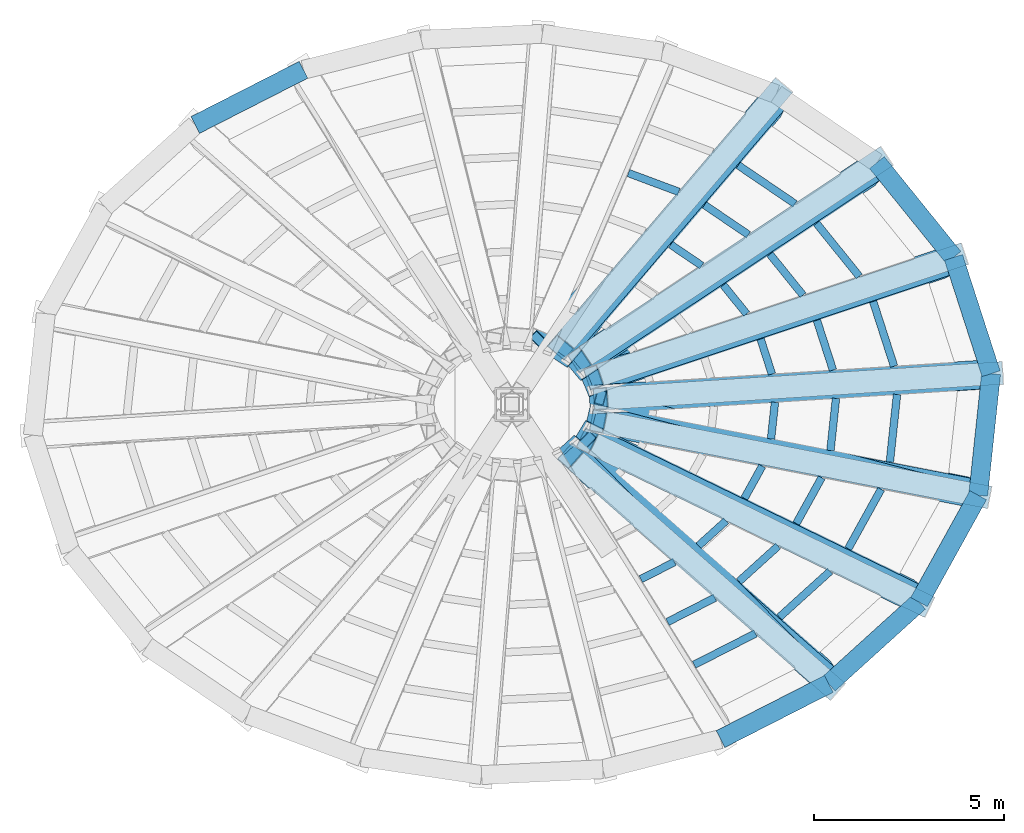
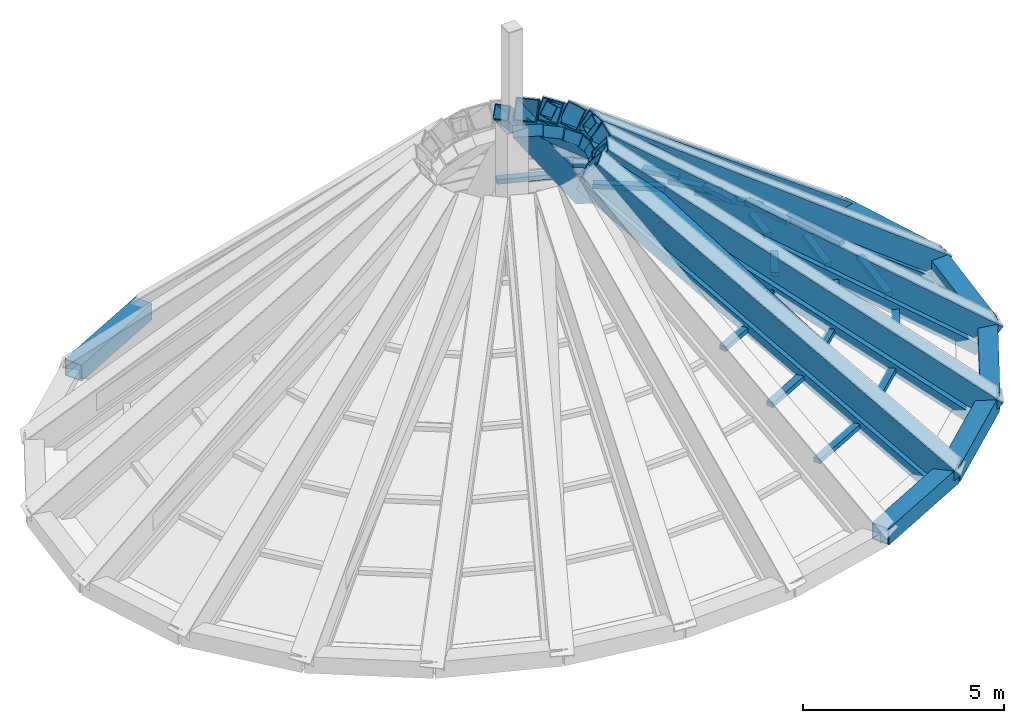
# One storey, part 3 of 9: 40 members, 7 beams, 1 element without a shape of its own.
"""IFC4 building model written with IfcOpenShell, lengths in metres."""

from ifc_helpers import new_model, si_unit, direction, frame, origin, origin_2d, place, context, subcontext, project, spatial, rectangle, hollow_rectangle, extrude, source, transform, mapped, material, material_profile, profile_set, type_object, element, aggregate, save


model = new_model("IFC4")

# Units and contexts
model_context = context("Model", 3, precision=1e-05, world=origin(), true_north=direction((0.0, 1.0)))
body_context = subcontext(model_context, "Body", "Model", "MODEL_VIEW")
ifc_project = project(units=[si_unit("LENGTHUNIT", "METRE"), si_unit("AREAUNIT", "SQUARE_METRE"), si_unit("VOLUMEUNIT", "CUBIC_METRE"), si_unit("PLANEANGLEUNIT", "RADIAN"), si_unit("MASSUNIT", "GRAM", prefix="KILO")], contexts=[model_context])

# Site, building, storey
site_placement = place(None, origin())
site = spatial("IfcSite", under=ifc_project, at=site_placement, CompositionType="ELEMENT")
building_placement = place(site_placement, origin())
building = spatial("IfcBuilding", under=site, at=building_placement, Name="Embergate Tower", CompositionType="ELEMENT")
storey_placement = place(building_placement, frame((0.0, 0.0, 374.5)))
storey = spatial("IfcBuildingStorey", under=building, at=storey_placement, Name="Roof", CompositionType="ELEMENT", Elevation=374.5)

# Beams
ifc_material_1 = material(Name="Steel Q355D", Category="steel")
ifc_material_profile_1 = material_profile(ifc_material_1, hollow_rectangle(XDim=0.5, YDim=0.5, WallThickness=0.02490234375, at=origin_2d()), Name="BOX 500x500x25")
ifc_profile_set_1 = profile_set([ifc_material_profile_1], Name="Steel Q355 grade D")
beam_type = type_object("IfcBeamType", Name="Crown frame ring beam BOX 500x500x25", PredefinedType="BEAM", material=ifc_profile_set_1)
shared_shape_1 = source(origin(), body_context, "Body", "SweptSolid", [
    extrude(hollow_rectangle(XDim=0.5, YDim=0.5, WallThickness=0.02490234375, at=origin_2d()), origin(), (0.0, 0.0, 1.0), 3.22216796875),
])
beam_1_placement = place(storey_placement, frame((12.635986328125, 0.81103515625, 0.0), z_axis=(-0.3075539776, 0.951530635798, 0.0), x_axis=(-0.951530635798, -0.3075539776, 0.0)))
element("IfcBeam", 1, at=beam_1_placement, inside=storey, type_object=beam_type, Name="CRN-Roof-RB00", PredefinedType="BEAM", context=body_context, shape_type="MappedRepresentation", body=[
    mapped(shared_shape_1, transform((0.0, 0.0, 0.0))),
])
shared_shape_2 = source(origin(), body_context, "Body", "SweptSolid", [
    extrude(hollow_rectangle(XDim=0.5, YDim=0.5, WallThickness=0.02490234375, at=origin_2d()), origin(), (0.0, 0.0, 1.0), 3.217041015625),
])
beam_2_placement = place(storey_placement, frame((11.64501953125, 3.876953125, 0.0), z_axis=(-0.628224045581, 0.778032485539, 0.0), x_axis=(-0.778032485539, -0.628224045581, 0.0)))
element("IfcBeam", 2, at=beam_2_placement, inside=storey, type_object=beam_type, Name="CRN-Roof-RB01", PredefinedType="BEAM", context=body_context, shape_type="MappedRepresentation", body=[
    mapped(shared_shape_2, transform((0.0, 0.0, 0.0))),
])
shared_shape_3 = source(origin(), body_context, "Body", "SweptSolid", [
    extrude(hollow_rectangle(XDim=0.5, YDim=0.5, WallThickness=0.02490234375, at=origin_2d()), origin(), (0.0, 0.0, 1.0), 3.2060546875),
])
for number, where, z_axis, x_axis, name in (
    (3, (-5.4990234375, 8.826904296875, 0.0), (-0.890804017707, -0.454387722146, 0.0), (0.454387722146, -0.890804017707, 0.0), "CRN-Roof-RB07"),
    (4, (5.4990234375, -8.826904296875, 0.0), (0.890804017707, 0.454387722146, 0.0), (-0.454387722146, 0.890804017707, 0.0), "CRN-Roof-RB18"),
):
    element("IfcBeam", number, at=place(storey_placement, frame(where, z_axis=z_axis, x_axis=x_axis)), inside=storey, type_object=beam_type, Name=name, PredefinedType="BEAM", context=body_context, shape_type="MappedRepresentation", body=[
        mapped(shared_shape_3, transform((0.0, 0.0, 0.0))),
    ])
shared_shape_4 = source(origin(), body_context, "Body", "SweptSolid", [
    extrude(hollow_rectangle(XDim=0.5, YDim=0.5, WallThickness=0.02490234375, at=origin_2d()), origin(), (0.0, 0.0, 1.0), 3.212890625),
])
beam_3_placement = place(storey_placement, frame((8.35498046875, -7.3701171875, 0.0), z_axis=(0.741087374494, 0.671408596434, 0.0), x_axis=(-0.671408596434, 0.741087374494, 0.0)))
element("IfcBeam", 5, at=beam_3_placement, inside=storey, type_object=beam_type, Name="CRN-Roof-RB19", PredefinedType="BEAM", context=body_context, shape_type="MappedRepresentation", body=[
    mapped(shared_shape_4, transform((0.0, 0.0, 0.0))),
])
shared_shape_5 = source(origin(), body_context, "Body", "SweptSolid", [
    extrude(hollow_rectangle(XDim=0.5, YDim=0.5, WallThickness=0.02490234375, at=origin_2d()), origin(), (0.0, 0.0, 1.0), 3.22021484375),
])
beam_4_placement = place(storey_placement, frame((10.736083984375, -5.212890625, 0.0), z_axis=(0.484065090401, 0.875031992704, 0.0), x_axis=(-0.875031992704, 0.484065090401, 0.0)))
element("IfcBeam", 6, at=beam_4_placement, inside=storey, type_object=beam_type, Name="CRN-Roof-RB20", PredefinedType="BEAM", context=body_context, shape_type="MappedRepresentation", body=[
    mapped(shared_shape_5, transform((0.0, 0.0, 0.0))),
])
shared_shape_6 = source(origin(), body_context, "Body", "SweptSolid", [
    extrude(hollow_rectangle(XDim=0.5, YDim=0.5, WallThickness=0.02490234375, at=origin_2d()), origin(), (0.0, 0.0, 1.0), 3.22412109375),
])
beam_5_placement = place(storey_placement, frame((12.294921875, -2.39501953125, 0.0), z_axis=(0.105784461504, 0.994389082655, 0.0), x_axis=(-0.994389082655, 0.105784461504, 0.0)))
element("IfcBeam", 7, at=beam_5_placement, inside=storey, type_object=beam_type, Name="CRN-Roof-RB21", PredefinedType="BEAM", context=body_context, shape_type="MappedRepresentation", body=[
    mapped(shared_shape_6, transform((0.0, 0.0, 0.0))),
])

# Members
ifc_material_profile_2 = material_profile(ifc_material_1, hollow_rectangle(XDim=0.60009765625, YDim=0.60009765625, WallThickness=0.028076171875, at=origin_2d()), Name="BOX 600x600x28")
ifc_profile_set_2 = profile_set([ifc_material_profile_2], Name="Steel Q355 grade D")
member_type_1 = type_object("IfcMemberType", Name="Glass point hip BOX 600x600x28", PredefinedType="MEMBER", material=ifc_profile_set_2)
shared_shape_7 = source(origin(), body_context, "Body", "SweptSolid", [
    extrude(hollow_rectangle(XDim=0.60009765625, YDim=0.60009765625, WallThickness=0.028076171875, at=origin_2d()), origin(), (0.0, 0.0, 1.0), 13.272705078125),
])
member_1_placement = place(storey_placement, frame((12.75390625, 0.819091796875, -0.093017578125), z_axis=(-0.785529126665, -0.050492388542, 0.616761307039), x_axis=(0.06414580901, -0.997940536899, 0.0)))
element("IfcMember", 8, at=member_1_placement, inside=storey, type_object=member_type_1, Name="CRN-Roof-HP00", PredefinedType="MEMBER", context=body_context, shape_type="MappedRepresentation", body=[
    mapped(shared_shape_7, transform((0.0, 0.0, 0.0))),
])
shared_shape_8 = source(origin(), body_context, "Body", "SweptSolid", [
    extrude(hollow_rectangle(XDim=0.60009765625, YDim=0.60009765625, WallThickness=0.028076171875, at=origin_2d()), origin(), (0.0, 0.0, 1.0), 13.02685546875),
])
member_2_placement = place(storey_placement, frame((11.756103515625, 3.9140625, -0.093994140625), z_axis=(-0.737935229169, -0.245734773965, 0.628542773736), x_axis=(0.315945829677, -0.948777230286, 0.0)))
element("IfcMember", 9, at=member_2_placement, inside=storey, type_object=member_type_1, Name="CRN-Roof-HP01", PredefinedType="MEMBER", context=body_context, shape_type="MappedRepresentation", body=[
    mapped(shared_shape_8, transform((0.0, 0.0, 0.0))),
])
ifc_material_profile_3 = material_profile(ifc_material_1, hollow_rectangle(XDim=0.39990234375, YDim=0.39990234375, WallThickness=0.02197265625, at=origin_2d()), Name="BOX 400x400x22")
ifc_profile_set_3 = profile_set([ifc_material_profile_3], Name="Steel Q355 grade D")
member_type_2 = type_object("IfcMemberType", Name="Glass point brace BOX 400x400x22", PredefinedType="BRACE", material=ifc_profile_set_3)
shared_shape_9 = source(origin(), body_context, "Body", "SweptSolid", [
    extrude(hollow_rectangle(XDim=0.39990234375, YDim=0.39990234375, WallThickness=0.02197265625, at=origin_2d()), origin(), (0.0, 0.0, 1.0), 13.210693359375),
])
member_3_placement = place(storey_placement, frame((11.759033203125, 3.907958984375, -0.093017578125), z_axis=(-0.757720473984, -0.204671940913, 0.619652386349), x_axis=(0.260769655053, -0.965401049825, 0.0)))
element("IfcMember", 10, at=member_3_placement, inside=storey, type_object=member_type_2, Name="CRN-Roof-DG01", PredefinedType="BRACE", context=body_context, shape_type="MappedRepresentation", body=[
    mapped(shared_shape_9, transform((0.0, 0.0, 0.0))),
])
shared_shape_10 = source(origin(), body_context, "Body", "SweptSolid", [
    extrude(hollow_rectangle(XDim=0.60009765625, YDim=0.60009765625, WallThickness=0.028076171875, at=origin_2d()), origin(), (0.0, 0.0, 1.0), 12.57666015625),
])
member_4_placement = place(storey_placement, frame((9.718994140625, 6.443115234375, -0.097900390625), z_axis=(-0.632198228908, -0.419110134864, 0.65166869974), x_axis=(0.552548549533, -0.833480713879, 0.0)))
element("IfcMember", 11, at=member_4_placement, inside=storey, type_object=member_type_1, Name="CRN-Roof-HP02", PredefinedType="MEMBER", context=body_context, shape_type="MappedRepresentation", body=[
    mapped(shared_shape_10, transform((0.0, 0.0, 0.0))),
])
shared_shape_11 = source(origin(), body_context, "Body", "SweptSolid", [
    extrude(hollow_rectangle(XDim=0.60009765625, YDim=0.60009765625, WallThickness=0.028076171875, at=origin_2d()), origin(), (0.0, 0.0, 1.0), 12.096435546875),
])
member_5_placement = place(storey_placement, frame((7.041015625, 8.26806640625, -0.10205078125), z_axis=(-0.47641352617, -0.559505857763, 0.678220721602), x_axis=(0.761379293314, -0.648306695718, 0.0)))
element("IfcMember", 12, at=member_5_placement, inside=storey, type_object=member_type_1, Name="CRN-Roof-HP03", PredefinedType="MEMBER", context=body_context, shape_type="MappedRepresentation", body=[
    mapped(shared_shape_11, transform((0.0, 0.0, 0.0))),
])
shared_shape_12 = source(origin(), body_context, "Body", "SweptSolid", [
    extrude(hollow_rectangle(XDim=0.39990234375, YDim=0.39990234375, WallThickness=0.02197265625, at=origin_2d()), origin(), (0.0, 0.0, 1.0), 12.26708984375),
])
member_6_placement = place(storey_placement, frame((7.048095703125, 8.263916015625, -0.10009765625), z_axis=(-0.518312884172, -0.533378846362, 0.66847495118), x_axis=(0.717162823494, -0.696905649711, 0.0)))
element("IfcMember", 13, at=member_6_placement, inside=storey, type_object=member_type_2, Name="CRN-Roof-DG03", PredefinedType="BRACE", context=body_context, shape_type="MappedRepresentation", body=[
    mapped(shared_shape_12, transform((0.0, 0.0, 0.0))),
])
shared_shape_13 = source(origin(), body_context, "Body", "SweptSolid", [
    extrude(hollow_rectangle(XDim=0.60009765625, YDim=0.60009765625, WallThickness=0.028076171875, at=origin_2d()), origin(), (0.0, 0.0, 1.0), 12.330810546875),
])
member_7_placement = place(storey_placement, frame((8.43896484375, -7.444091796875, -0.10009765625), z_axis=(-0.560060622354, 0.494050012712, 0.66501630373), x_axis=(-0.661530442406, -0.749918311398, 0.0)))
element("IfcMember", 14, at=member_7_placement, inside=storey, type_object=member_type_1, Name="CRN-Roof-HP19", PredefinedType="MEMBER", context=body_context, shape_type="MappedRepresentation", body=[
    mapped(shared_shape_13, transform((0.0, 0.0, 0.0))),
])
shared_shape_14 = source(origin(), body_context, "Body", "SweptSolid", [
    extrude(hollow_rectangle(XDim=0.60009765625, YDim=0.60009765625, WallThickness=0.028076171875, at=origin_2d()), origin(), (0.0, 0.0, 1.0), 12.8154296875),
])
member_8_placement = place(storey_placement, frame((10.840087890625, -5.262939453125, -0.095947265625), z_axis=(-0.691816979432, 0.335840328526, 0.639218695522), x_axis=(-0.436709243606, -0.899602710395, 0.0)))
element("IfcMember", 15, at=member_8_placement, inside=storey, type_object=member_type_1, Name="CRN-Roof-HP20", PredefinedType="MEMBER", context=body_context, shape_type="MappedRepresentation", body=[
    mapped(shared_shape_14, transform((0.0, 0.0, 0.0))),
])
shared_shape_15 = source(origin(), body_context, "Body", "SweptSolid", [
    extrude(hollow_rectangle(XDim=0.60009765625, YDim=0.60009765625, WallThickness=0.028076171875, at=origin_2d()), origin(), (0.0, 0.0, 1.0), 13.1845703125),
])
member_9_placement = place(storey_placement, frame((12.409912109375, -2.4169921875, -0.093017578125), z_axis=(-0.769459951546, 0.14980341262, 0.620878668127), x_axis=(-0.191098528519, -0.981570859591, 0.0)))
element("IfcMember", 16, at=member_9_placement, inside=storey, type_object=member_type_1, Name="CRN-Roof-HP21", PredefinedType="MEMBER", context=body_context, shape_type="MappedRepresentation", body=[
    mapped(shared_shape_15, transform((0.0, 0.0, 0.0))),
])
shared_shape_16 = source(origin(), body_context, "Body", "SweptSolid", [
    extrude(hollow_rectangle(XDim=0.39990234375, YDim=0.39990234375, WallThickness=0.02197265625, at=origin_2d()), origin(), (0.0, 0.0, 1.0), 12.29443359375),
])
member_10_placement = place(storey_placement, frame((8.43310546875, -7.449951171875, -0.10009765625), z_axis=(-0.523256375064, 0.530405228765, 0.666988050309), x_axis=(-0.711887954419, -0.702293058739, 0.0)))
element("IfcMember", 17, at=member_10_placement, inside=storey, type_object=member_type_2, Name="CRN-Roof-DG19", PredefinedType="BRACE", context=body_context, shape_type="MappedRepresentation", body=[
    mapped(shared_shape_16, transform((0.0, 0.0, 0.0))),
])
shared_shape_17 = source(origin(), body_context, "Body", "SweptSolid", [
    extrude(hollow_rectangle(XDim=0.39990234375, YDim=0.39990234375, WallThickness=0.02197265625, at=origin_2d()), origin(), (0.0, 0.0, 1.0), 13.242919921875),
])
member_11_placement = place(storey_placement, frame((12.408935546875, -2.425048828125, -0.093017578125), z_axis=(-0.760920943412, 0.197240294938, 0.618138806362), x_axis=(-0.250919835264, -0.968007869943, 0.0)))
element("IfcMember", 18, at=member_11_placement, inside=storey, type_object=member_type_2, Name="CRN-Roof-DG21", PredefinedType="BRACE", context=body_context, shape_type="MappedRepresentation", body=[
    mapped(shared_shape_17, transform((0.0, 0.0, 0.0))),
])

# Curtain wall, members
ifc_material_2 = material(Name="Aluminium and glass", Category="aluminium")
curtain_wall_type = type_object("IfcCurtainWallType", Name="Crown facet glazing", PredefinedType="NOTDEFINED", material=ifc_material_2)
curtain_wall_placement = place(storey_placement, origin())
curtain_wall = element("IfcCurtainWall", 19, at=curtain_wall_placement, inside=storey, type_object=curtain_wall_type, Name="Crown facet glazing Roof", ObjectType="CROWN FACET GLAZING", PredefinedType="USERDEFINED")
ifc_material_3 = material(Name="Aluminium, thermally broken", Category="aluminium")
ifc_material_profile_4 = material_profile(ifc_material_3, rectangle(XDim=0.300048828125, YDim=0.760009765625, at=origin_2d()), Name="AL 760x300")
ifc_profile_set_4 = profile_set([ifc_material_profile_4], Name="Aluminium, thermally broken")
member_type_3 = type_object("IfcMemberType", Name="Crown apex hip cover", PredefinedType="MULLION", material=ifc_profile_set_4)
shared_shape_18 = source(origin(), body_context, "Body", "SweptSolid", [
    extrude(rectangle(XDim=0.300048828125, YDim=0.760009765625, at=origin_2d()), origin(), (0.0, 0.0, 1.0), 12.9716796875),
])
member_12_placement = place(storey_placement, frame((12.326416015625, 0.778564453125, -0.396728515625), z_axis=(-0.785557124659, -0.050421858665, 0.616731416475), x_axis=(0.613681636941, 0.064309391429, 0.786930206979)))
member_12 = element("IfcMember", 20, at=member_12_placement, type_object=member_type_3, Name="CW hip 1", PredefinedType="MULLION", context=body_context, shape_type="MappedRepresentation", body=[
    mapped(shared_shape_18, transform((0.0, 0.0, 0.0))),
])
ifc_material_profile_5 = material_profile(ifc_material_3, rectangle(XDim=0.199951171875, YDim=0.139892578125, at=origin_2d()), Name="AL 140x200")
ifc_profile_set_5 = profile_set([ifc_material_profile_5], Name="Aluminium, thermally broken")
member_type_4 = type_object("IfcMemberType", Name="Crown facet transom", PredefinedType="USERDEFINED", material=ifc_profile_set_5)
shared_shape_19 = source(origin(), body_context, "Body", "SweptSolid", [
    extrude(rectangle(XDim=0.199951171875, YDim=0.139892578125, at=origin_2d()), origin(), (0.0, 0.0, 1.0), 1.79150390625),
])
member_13_placement = place(storey_placement, frame((10.076171875, 1.00830078125, 1.27685546875), z_axis=(-0.307711433266, 0.951479728548, 0.0), x_axis=(-0.951479728548, -0.307711433266, 0.0)))
member_13 = element("IfcMember", 21, at=member_13_placement, type_object=member_type_4, Name="CW transom 1.1", ObjectType="TRANSOM", PredefinedType="USERDEFINED", context=body_context, shape_type="MappedRepresentation", body=[
    mapped(shared_shape_19, transform((0.0, 0.0, 0.0))),
])
shared_shape_20 = source(origin(), body_context, "Body", "SweptSolid", [
    extrude(rectangle(XDim=0.199951171875, YDim=0.139892578125, at=origin_2d()), origin(), (0.0, 0.0, 1.0), 1.380615234375),
])
member_14_placement = place(storey_placement, frame((8.465576171875, 0.905029296875, 2.541259765625), z_axis=(-0.307514237363, 0.951543479731, 0.0), x_axis=(-0.951543479731, -0.307514237363, 0.0)))
member_14 = element("IfcMember", 22, at=member_14_placement, type_object=member_type_4, Name="CW transom 1.2", ObjectType="TRANSOM", PredefinedType="USERDEFINED", context=body_context, shape_type="MappedRepresentation", body=[
    mapped(shared_shape_20, transform((0.0, 0.0, 0.0))),
])
shared_shape_21 = source(origin(), body_context, "Body", "SweptSolid", [
    extrude(rectangle(XDim=0.199951171875, YDim=0.139892578125, at=origin_2d()), origin(), (0.0, 0.0, 1.0), 0.97021484375),
])
member_15_placement = place(storey_placement, frame((6.855224609375, 0.801513671875, 3.8056640625), z_axis=(-0.307759984948, 0.951464025418, 0.0), x_axis=(-0.951464025418, -0.307759984948, 0.0)))
member_15 = element("IfcMember", 23, at=member_15_placement, type_object=member_type_4, Name="CW transom 1.3", ObjectType="TRANSOM", PredefinedType="USERDEFINED", context=body_context, shape_type="MappedRepresentation", body=[
    mapped(shared_shape_21, transform((0.0, 0.0, 0.0))),
])
shared_shape_22 = source(origin(), body_context, "Body", "SweptSolid", [
    extrude(rectangle(XDim=0.300048828125, YDim=0.760009765625, at=origin_2d()), origin(), (0.0, 0.0, 1.0), 12.726806640625),
])
member_16_placement = place(storey_placement, frame((11.364501953125, 3.723876953125, -0.38916015625), z_axis=(-0.737901946572, -0.245698750369, 0.628595928489), x_axis=(0.557107007569, 0.30398887909, 0.772801749162)))
member_16 = element("IfcMember", 24, at=member_16_placement, type_object=member_type_3, Name="CW hip 2", PredefinedType="MULLION", context=body_context, shape_type="MappedRepresentation", body=[
    mapped(shared_shape_22, transform((0.0, 0.0, 0.0))),
])
shared_shape_23 = source(origin(), body_context, "Body", "SweptSolid", [
    extrude(rectangle(XDim=0.199951171875, YDim=0.139892578125, at=origin_2d()), origin(), (0.0, 0.0, 1.0), 1.7958984375),
])
member_17_placement = place(storey_placement, frame((9.15966796875, 3.377685546875, 1.279052734375), z_axis=(-0.628220015931, 0.778035739271, 0.0), x_axis=(-0.778035739271, -0.628220015931, 0.0)))
member_17 = element("IfcMember", 25, at=member_17_placement, type_object=member_type_4, Name="CW transom 2.1", ObjectType="TRANSOM", PredefinedType="USERDEFINED", context=body_context, shape_type="MappedRepresentation", body=[
    mapped(shared_shape_23, transform((0.0, 0.0, 0.0))),
])
shared_shape_24 = source(origin(), body_context, "Body", "SweptSolid", [
    extrude(rectangle(XDim=0.199951171875, YDim=0.139892578125, at=origin_2d()), origin(), (0.0, 0.0, 1.0), 1.385498046875),
])
member_18_placement = place(storey_placement, frame((7.673583984375, 2.8828125, 2.544921875), z_axis=(-0.628234554744, 0.778023999775, 0.0), x_axis=(-0.778023999775, -0.628234554744, 0.0)))
member_18 = element("IfcMember", 26, at=member_18_placement, type_object=member_type_4, Name="CW transom 2.2", ObjectType="TRANSOM", PredefinedType="USERDEFINED", context=body_context, shape_type="MappedRepresentation", body=[
    mapped(shared_shape_24, transform((0.0, 0.0, 0.0))),
])
shared_shape_25 = source(origin(), body_context, "Body", "SweptSolid", [
    extrude(rectangle(XDim=0.199951171875, YDim=0.139892578125, at=origin_2d()), origin(), (0.0, 0.0, 1.0), 0.97509765625),
])
member_19_placement = place(storey_placement, frame((6.187744140625, 2.387939453125, 3.810791015625), z_axis=(-0.628261333076, 0.778002376193, 0.0), x_axis=(-0.778002376193, -0.628261333076, 0.0)))
member_19 = element("IfcMember", 27, at=member_19_placement, type_object=member_type_4, Name="CW transom 2.3", ObjectType="TRANSOM", PredefinedType="USERDEFINED", context=body_context, shape_type="MappedRepresentation", body=[
    mapped(shared_shape_25, transform((0.0, 0.0, 0.0))),
])
shared_shape_26 = source(origin(), body_context, "Body", "SweptSolid", [
    extrude(rectangle(XDim=0.300048828125, YDim=0.760009765625, at=origin_2d()), origin(), (0.0, 0.0, 1.0), 12.276123046875),
])
member_20_placement = place(storey_placement, frame((9.399169921875, 6.13427734375, -0.376220703125), z_axis=(-0.632199771339, -0.419106545698, 0.651669511694), x_axis=(0.447605501943, 0.488971107119, 0.748703259665)))
member_20 = element("IfcMember", 28, at=member_20_placement, type_object=member_type_3, Name="CW hip 3", PredefinedType="MULLION", context=body_context, shape_type="MappedRepresentation", body=[
    mapped(shared_shape_26, transform((0.0, 0.0, 0.0))),
])
shared_shape_27 = source(origin(), body_context, "Body", "SweptSolid", [
    extrude(rectangle(XDim=0.199951171875, YDim=0.139892578125, at=origin_2d()), origin(), (0.0, 0.0, 1.0), 1.807861328125),
])
member_21_placement = place(storey_placement, frame((7.464599609375, 5.2900390625, 1.28125), z_axis=(-0.827009381135, 0.562188121108, 0.0), x_axis=(-0.562188121108, -0.827009381135, 0.0)))
member_21 = element("IfcMember", 29, at=member_21_placement, type_object=member_type_4, Name="CW transom 3.1", ObjectType="TRANSOM", PredefinedType="USERDEFINED", context=body_context, shape_type="MappedRepresentation", body=[
    mapped(shared_shape_27, transform((0.0, 0.0, 0.0))),
])
shared_shape_28 = source(origin(), body_context, "Body", "SweptSolid", [
    extrude(rectangle(XDim=0.199951171875, YDim=0.139892578125, at=origin_2d()), origin(), (0.0, 0.0, 1.0), 1.397705078125),
])
member_22_placement = place(storey_placement, frame((6.23486328125, 4.474853515625, 2.549072265625), z_axis=(-0.827072671278, 0.562095006583, 0.0), x_axis=(-0.562095006583, -0.827072671278, 0.0)))
member_22 = element("IfcMember", 30, at=member_22_placement, type_object=member_type_4, Name="CW transom 3.2", ObjectType="TRANSOM", PredefinedType="USERDEFINED", context=body_context, shape_type="MappedRepresentation", body=[
    mapped(shared_shape_28, transform((0.0, 0.0, 0.0))),
])
shared_shape_29 = source(origin(), body_context, "Body", "SweptSolid", [
    extrude(rectangle(XDim=0.199951171875, YDim=0.139892578125, at=origin_2d()), origin(), (0.0, 0.0, 1.0), 0.98779296875),
])
member_23_placement = place(storey_placement, frame((5.0048828125, 3.659423828125, 3.81689453125), z_axis=(-0.827073593498, 0.562093649616, 0.0), x_axis=(-0.562093649616, -0.827073593498, 0.0)))
member_23 = element("IfcMember", 31, at=member_23_placement, type_object=member_type_4, Name="CW transom 3.3", ObjectType="TRANSOM", PredefinedType="USERDEFINED", context=body_context, shape_type="MappedRepresentation", body=[
    mapped(shared_shape_29, transform((0.0, 0.0, 0.0))),
])
shared_shape_30 = source(origin(), body_context, "Body", "SweptSolid", [
    extrude(rectangle(XDim=0.300048828125, YDim=0.760009765625, at=origin_2d()), origin(), (0.0, 0.0, 1.0), 11.79638671875),
])
member_24_placement = place(storey_placement, frame((6.81201171875, 7.877197265625, -0.3642578125), z_axis=(-0.47648823742, -0.559500630258, 0.678172547617), x_axis=(0.314762347001, 0.611675998754, 0.725794142618)))
member_24 = element("IfcMember", 32, at=member_24_placement, type_object=member_type_3, Name="CW hip 4", PredefinedType="MULLION", context=body_context, shape_type="MappedRepresentation", body=[
    mapped(shared_shape_30, transform((0.0, 0.0, 0.0))),
])
shared_shape_31 = source(origin(), body_context, "Body", "SweptSolid", [
    extrude(rectangle(XDim=0.199951171875, YDim=0.139892578125, at=origin_2d()), origin(), (0.0, 0.0, 1.0), 1.415283203125),
])
member_25_placement = place(storey_placement, frame((4.39697265625, 5.607421875, 2.552490234375), z_axis=(-0.936930420381, 0.349515932921, 0.0), x_axis=(-0.349515932921, -0.936930420381, 0.0)))
member_25 = element("IfcMember", 33, at=member_25_placement, type_object=member_type_4, Name="CW transom 4.2", ObjectType="TRANSOM", PredefinedType="USERDEFINED", context=body_context, shape_type="MappedRepresentation", body=[
    mapped(shared_shape_31, transform((0.0, 0.0, 0.0))),
])
shared_shape_32 = source(origin(), body_context, "Body", "SweptSolid", [
    extrude(rectangle(XDim=0.199951171875, YDim=0.139892578125, at=origin_2d()), origin(), (0.0, 0.0, 1.0), 1.816650390625),
])
member_26_placement = place(storey_placement, frame((4.802978515625, -6.86669921875, 1.282470703125), z_axis=(0.890741883441, 0.454509512643, 0.0), x_axis=(-0.454509512643, 0.890741883441, 0.0)))
member_26 = element("IfcMember", 34, at=member_26_placement, type_object=member_type_4, Name="CW transom 19.1", ObjectType="TRANSOM", PredefinedType="USERDEFINED", context=body_context, shape_type="MappedRepresentation", body=[
    mapped(shared_shape_32, transform((0.0, 0.0, 0.0))),
])
shared_shape_33 = source(origin(), body_context, "Body", "SweptSolid", [
    extrude(rectangle(XDim=0.199951171875, YDim=0.139892578125, at=origin_2d()), origin(), (0.0, 0.0, 1.0), 1.40673828125),
])
member_27_placement = place(storey_placement, frame((4.099853515625, -5.738037109375, 2.551025390625), z_axis=(0.890717413983, 0.454557464384, 0.0), x_axis=(-0.454557464384, 0.890717413983, 0.0)))
member_27 = element("IfcMember", 35, at=member_27_placement, type_object=member_type_4, Name="CW transom 19.2", ObjectType="TRANSOM", PredefinedType="USERDEFINED", context=body_context, shape_type="MappedRepresentation", body=[
    mapped(shared_shape_33, transform((0.0, 0.0, 0.0))),
])
shared_shape_34 = source(origin(), body_context, "Body", "SweptSolid", [
    extrude(rectangle(XDim=0.199951171875, YDim=0.139892578125, at=origin_2d()), origin(), (0.0, 0.0, 1.0), 0.996826171875),
])
member_28_placement = place(storey_placement, frame((3.396484375, -4.609375, 3.819580078125), z_axis=(0.890723422903, 0.454545689554, 0.0), x_axis=(-0.454545689554, 0.890723422903, 0.0)))
member_28 = element("IfcMember", 36, at=member_28_placement, type_object=member_type_4, Name="CW transom 19.3", ObjectType="TRANSOM", PredefinedType="USERDEFINED", context=body_context, shape_type="MappedRepresentation", body=[
    mapped(shared_shape_34, transform((0.0, 0.0, 0.0))),
])
shared_shape_35 = source(origin(), body_context, "Body", "SweptSolid", [
    extrude(rectangle(XDim=0.300048828125, YDim=0.760009765625, at=origin_2d()), origin(), (0.0, 0.0, 1.0), 12.030517578125),
])
member_29_placement = place(storey_placement, frame((8.162841796875, -7.090087890625, -0.369873046875), z_axis=(-0.560078703385, 0.494084430281, 0.664975504638), x_axis=(0.382711858996, -0.557586169231, 0.736633760336)))
member_29 = element("IfcMember", 37, at=member_29_placement, type_object=member_type_3, Name="CW hip 20", PredefinedType="MULLION", context=body_context, shape_type="MappedRepresentation", body=[
    mapped(shared_shape_35, transform((0.0, 0.0, 0.0))),
])
shared_shape_36 = source(origin(), body_context, "Body", "SweptSolid", [
    extrude(rectangle(XDim=0.199951171875, YDim=0.139892578125, at=origin_2d()), origin(), (0.0, 0.0, 1.0), 1.80078125),
])
member_30_placement = place(storey_placement, frame((7.05419921875, -5.609619140625, 1.280029296875), z_axis=(0.741153463573, 0.671335641415, 0.0), x_axis=(-0.671335641415, 0.741153463573, 0.0)))
member_30 = element("IfcMember", 38, at=member_30_placement, type_object=member_type_4, Name="CW transom 20.1", ObjectType="TRANSOM", PredefinedType="USERDEFINED", context=body_context, shape_type="MappedRepresentation", body=[
    mapped(shared_shape_36, transform((0.0, 0.0, 0.0))),
])
shared_shape_37 = source(origin(), body_context, "Body", "SweptSolid", [
    extrude(rectangle(XDim=0.199951171875, YDim=0.139892578125, at=origin_2d()), origin(), (0.0, 0.0, 1.0), 1.39013671875),
])
member_31_placement = place(storey_placement, frame((5.9873046875, -4.668212890625, 2.546875), z_axis=(0.741107094162, 0.671386829617, 0.0), x_axis=(-0.671386829617, 0.741107094162, 0.0)))
member_31 = element("IfcMember", 39, at=member_31_placement, type_object=member_type_4, Name="CW transom 20.2", ObjectType="TRANSOM", PredefinedType="USERDEFINED", context=body_context, shape_type="MappedRepresentation", body=[
    mapped(shared_shape_37, transform((0.0, 0.0, 0.0))),
])
shared_shape_38 = source(origin(), body_context, "Body", "SweptSolid", [
    extrude(rectangle(XDim=0.199951171875, YDim=0.139892578125, at=origin_2d()), origin(), (0.0, 0.0, 1.0), 0.97998046875),
])
member_32_placement = place(storey_placement, frame((4.92041015625, -3.72705078125, 3.813720703125), z_axis=(0.741122514652, 0.671369807391, 0.0), x_axis=(-0.671369807391, 0.741122514652, 0.0)))
member_32 = element("IfcMember", 40, at=member_32_placement, type_object=member_type_4, Name="CW transom 20.3", ObjectType="TRANSOM", PredefinedType="USERDEFINED", context=body_context, shape_type="MappedRepresentation", body=[
    mapped(shared_shape_38, transform((0.0, 0.0, 0.0))),
])
shared_shape_39 = source(origin(), body_context, "Body", "SweptSolid", [
    extrude(rectangle(XDim=0.300048828125, YDim=0.760009765625, at=origin_2d()), origin(), (0.0, 0.0, 1.0), 12.515380859375),
])
member_33_placement = place(storey_placement, frame((10.48095703125, -5.009521484375, -0.3828125), z_axis=(-0.691785574128, 0.335914829159, 0.639213537857), x_axis=(0.506911004649, -0.404523985911, 0.761184326027)))
member_33 = element("IfcMember", 41, at=member_33_placement, type_object=member_type_3, Name="CW hip 21", PredefinedType="MULLION", context=body_context, shape_type="MappedRepresentation", body=[
    mapped(shared_shape_39, transform((0.0, 0.0, 0.0))),
])
shared_shape_40 = source(origin(), body_context, "Body", "SweptSolid", [
    extrude(rectangle(XDim=0.199951171875, YDim=0.139892578125, at=origin_2d()), origin(), (0.0, 0.0, 1.0), 1.793212890625),
])
member_34_placement = place(storey_placement, frame((8.866943359375, -3.805908203125, 1.27783203125), z_axis=(0.484023677198, 0.875054901084, 0.0), x_axis=(-0.875054901084, 0.484023677198, 0.0)))
member_34 = element("IfcMember", 42, at=member_34_placement, type_object=member_type_4, Name="CW transom 21.1", ObjectType="TRANSOM", PredefinedType="USERDEFINED", context=body_context, shape_type="MappedRepresentation", body=[
    mapped(shared_shape_40, transform((0.0, 0.0, 0.0))),
])
shared_shape_41 = source(origin(), body_context, "Body", "SweptSolid", [
    extrude(rectangle(XDim=0.199951171875, YDim=0.139892578125, at=origin_2d()), origin(), (0.0, 0.0, 1.0), 1.382568359375),
])
member_35_placement = place(storey_placement, frame((7.497802734375, -3.14111328125, 2.542724609375), z_axis=(0.484052754226, 0.875038816925, 0.0), x_axis=(-0.875038816925, 0.484052754226, 0.0)))
member_35 = element("IfcMember", 43, at=member_35_placement, type_object=member_type_4, Name="CW transom 21.2", ObjectType="TRANSOM", PredefinedType="USERDEFINED", context=body_context, shape_type="MappedRepresentation", body=[
    mapped(shared_shape_41, transform((0.0, 0.0, 0.0))),
])
shared_shape_42 = source(origin(), body_context, "Body", "SweptSolid", [
    extrude(rectangle(XDim=0.199951171875, YDim=0.139892578125, at=origin_2d()), origin(), (0.0, 0.0, 1.0), 0.971435546875),
])
member_36_placement = place(storey_placement, frame((6.12890625, -2.476318359375, 3.807861328125), z_axis=(0.484020443542, 0.875056689726, 0.0), x_axis=(-0.875056689726, 0.484020443542, 0.0)))
member_36 = element("IfcMember", 44, at=member_36_placement, type_object=member_type_4, Name="CW transom 21.3", ObjectType="TRANSOM", PredefinedType="USERDEFINED", context=body_context, shape_type="MappedRepresentation", body=[
    mapped(shared_shape_42, transform((0.0, 0.0, 0.0))),
])
shared_shape_43 = source(origin(), body_context, "Body", "SweptSolid", [
    extrude(rectangle(XDim=0.300048828125, YDim=0.760009765625, at=origin_2d()), origin(), (0.0, 0.0, 1.0), 12.885498046875),
])
member_37_placement = place(storey_placement, frame((11.99560546875, -2.299560546875, -0.39404296875), z_axis=(-0.769471904777, 0.149851110383, 0.620852343537), x_axis=(0.594008600572, -0.189251755923, 0.781880780763)))
member_37 = element("IfcMember", 45, at=member_37_placement, type_object=member_type_3, Name="CW hip 22", PredefinedType="MULLION", context=body_context, shape_type="MappedRepresentation", body=[
    mapped(shared_shape_43, transform((0.0, 0.0, 0.0))),
])
shared_shape_44 = source(origin(), body_context, "Body", "SweptSolid", [
    extrude(rectangle(XDim=0.199951171875, YDim=0.139892578125, at=origin_2d()), origin(), (0.0, 0.0, 1.0), 1.79248046875),
])
member_38_placement = place(storey_placement, frame((9.96533203125, -1.519775390625, 1.2763671875), z_axis=(0.105826170245, 0.994384644738, 0.0), x_axis=(-0.994384644738, 0.105826170245, 0.0)))
member_38 = element("IfcMember", 46, at=member_38_placement, type_object=member_type_4, Name="CW transom 22.1", ObjectType="TRANSOM", PredefinedType="USERDEFINED", context=body_context, shape_type="MappedRepresentation", body=[
    mapped(shared_shape_44, transform((0.0, 0.0, 0.0))),
])
shared_shape_45 = source(origin(), body_context, "Body", "SweptSolid", [
    extrude(rectangle(XDim=0.199951171875, YDim=0.139892578125, at=origin_2d()), origin(), (0.0, 0.0, 1.0), 1.381591796875),
])
member_39_placement = place(storey_placement, frame((8.39892578125, -1.214599609375, 2.540283203125), z_axis=(0.105678234537, 0.994400377486, 0.0), x_axis=(-0.994400377486, 0.105678234537, 0.0)))
member_39 = element("IfcMember", 47, at=member_39_placement, type_object=member_type_4, Name="CW transom 22.2", ObjectType="TRANSOM", PredefinedType="USERDEFINED", context=body_context, shape_type="MappedRepresentation", body=[
    mapped(shared_shape_45, transform((0.0, 0.0, 0.0))),
])
shared_shape_46 = source(origin(), body_context, "Body", "SweptSolid", [
    extrude(rectangle(XDim=0.199951171875, YDim=0.139892578125, at=origin_2d()), origin(), (0.0, 0.0, 1.0), 0.970703125),
])
member_40_placement = place(storey_placement, frame((6.832275390625, -0.909423828125, 3.80419921875), z_axis=(0.105875999577, 0.99437934045, 0.0), x_axis=(-0.99437934045, 0.105875999577, 0.0)))
member_40 = element("IfcMember", 48, at=member_40_placement, type_object=member_type_4, Name="CW transom 22.3", ObjectType="TRANSOM", PredefinedType="USERDEFINED", context=body_context, shape_type="MappedRepresentation", body=[
    mapped(shared_shape_46, transform((0.0, 0.0, 0.0))),
])
aggregate(curtain_wall, [member_12, member_13, member_14, member_15, member_16, member_17, member_18, member_19, member_20, member_21, member_22, member_23, member_24, member_25, member_26, member_27, member_28, member_29, member_30, member_31, member_32, member_33, member_34, member_35, member_36, member_37, member_38, member_39, member_40])

save(model, "model.ifc")
